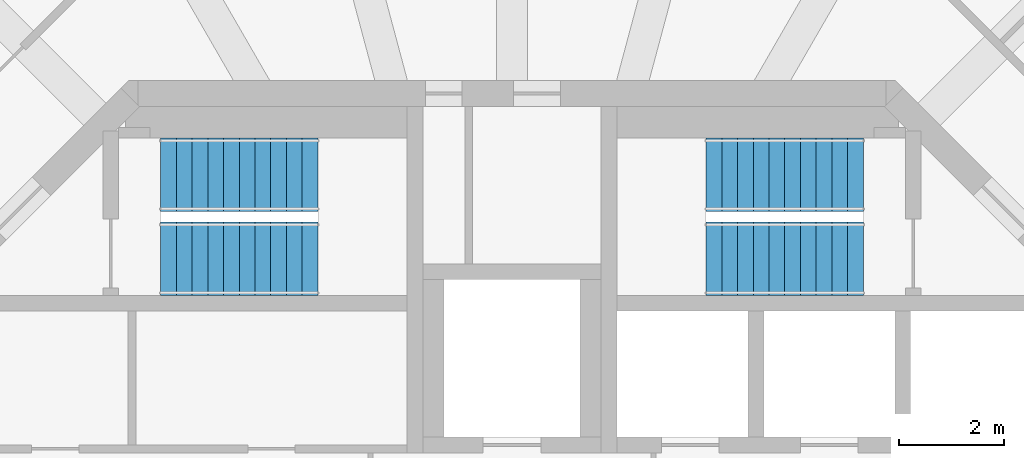
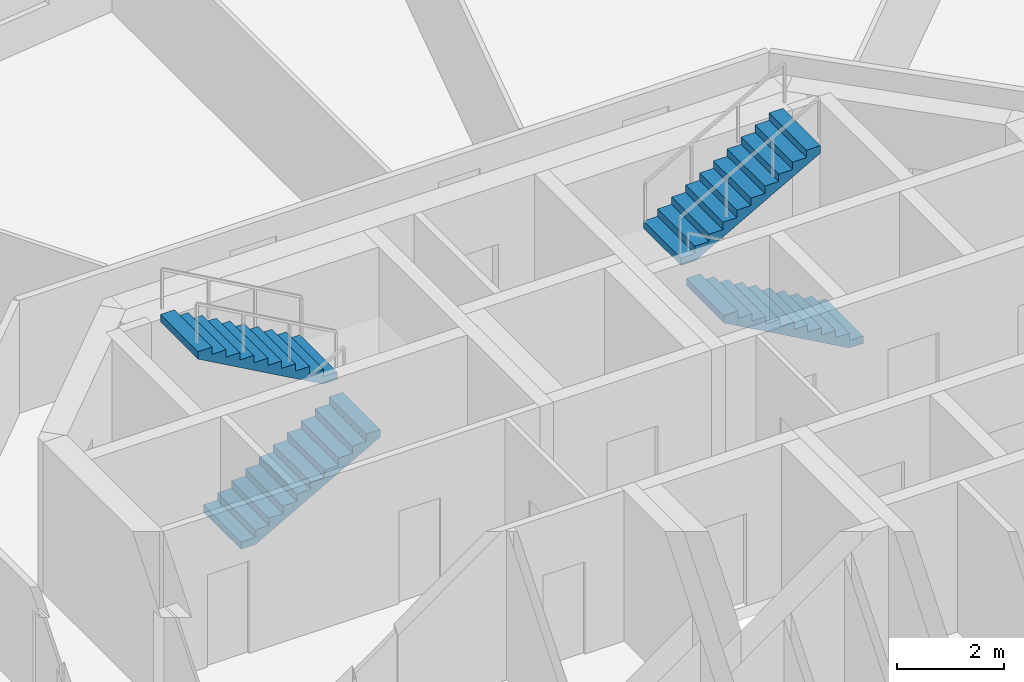
# One storey, part 7 of 9: 4 stair flights, 2 elements without a shape of their own.
"""IFC4 building model written with IfcOpenShell, lengths in metres."""

from ifc_helpers import new_model, si_unit, direction, frame, origin, place, context, subcontext, project, spatial, polyline, outline, extrude, material, type_object, element, aggregate, save


model = new_model("IFC4")

# Units and contexts
model_context = context("Model", 3, precision=1e-05, world=origin(), true_north=direction((0.0, 1.0)))
body_context = subcontext(model_context, "Body", "Model", "MODEL_VIEW")
ifc_project = project(units=[si_unit("LENGTHUNIT", "METRE"), si_unit("AREAUNIT", "SQUARE_METRE"), si_unit("VOLUMEUNIT", "CUBIC_METRE"), si_unit("PLANEANGLEUNIT", "RADIAN"), si_unit("MASSUNIT", "GRAM", prefix="KILO")], contexts=[model_context])

# Site, building, storey
site_placement = place(None, origin())
site = spatial("IfcSite", under=ifc_project, at=site_placement, CompositionType="ELEMENT")
building_placement = place(site_placement, origin())
building = spatial("IfcBuilding", under=site, at=building_placement, Name="Torre Triforio", CompositionType="ELEMENT")
storey_placement = place(building_placement, frame((0.0, 0.0, 264.89990234375)))
storey = spatial("IfcBuildingStorey", under=building, at=storey_placement, Name="L61", CompositionType="ELEMENT", Elevation=264.89990234375)

# Stair, stair flights
ifc_material = material(Name="Concrete C40", Category="concrete")
stair_type = type_object("IfcStairType", Name="STAIR HALF-TURN", PredefinedType="HALF_TURN_STAIR", material=ifc_material)
stair_1_placement = place(storey_placement, origin())
stair_1 = element("IfcStair", 1, at=stair_1_placement, inside=storey, type_object=stair_type, Name="Exit stair 1", PredefinedType="HALF_TURN_STAIR")
stair_flight_type = type_object("IfcStairFlightType", Name="STAIR FLIGHT 1400", PredefinedType="STRAIGHT", material=ifc_material)
stair_flight_1_placement = place(storey_placement, frame((-6.699951171875, 5.199951171875, 0.0), z_axis=(0.0, 0.0, 1.0), x_axis=(1.0, 0.0, 0.0)))
stair_flight_1 = element("IfcStairFlight", 2, at=stair_flight_1_placement, type_object=stair_flight_type, Name="ST1 flight 1", NumberOfRisers=11, NumberOfTreads=10, PredefinedType="STRAIGHT", RiserHeight=0.168181818, TreadLength=0.3, context=body_context, shape_type="SweptSolid", body=[
    extrude(outline(polyline([(0.0, 0.0), (0.0, 0.168212890625), (0.300048828125, 0.168212890625), (0.300048828125, 0.33642578125), (0.60009765625, 0.33642578125), (0.60009765625, 0.504638671875), (0.89990234375, 0.504638671875), (0.89990234375, 0.672607421875), (1.199951171875, 0.672607421875), (1.199951171875, 0.8408203125), (1.5, 0.8408203125), (1.5, 1.009033203125), (1.800048828125, 1.009033203125), (1.800048828125, 1.17724609375), (2.10009765625, 1.17724609375), (2.10009765625, 1.345458984375), (2.39990234375, 1.345458984375), (2.39990234375, 1.513671875), (2.699951171875, 1.513671875), (2.699951171875, 1.681884765625), (3.0, 1.681884765625), (3.0, 1.85009765625), (3.0, 1.510009765625), (0.306640625, 0.0), (0.0, 0.0)])), frame((0.0, 0.699951171875, 0.0), z_axis=(0.0, -1.0, 0.0), x_axis=(1.0, 0.0, 0.0)), (0.0, 0.0, 1.0), 1.39990234375),
])
stair_flight_2_placement = place(storey_placement, frame((-3.699951171875, 6.800048828125, 1.85009765625), z_axis=(0.0, 0.0, 1.0), x_axis=(-1.0, 0.0, 0.0)))
stair_flight_2 = element("IfcStairFlight", 3, at=stair_flight_2_placement, type_object=stair_flight_type, Name="ST1 flight 2", NumberOfRisers=11, NumberOfTreads=10, PredefinedType="STRAIGHT", RiserHeight=0.168181818, TreadLength=0.3, context=body_context, shape_type="SweptSolid", body=[
    extrude(outline(polyline([(0.0, 0.0), (0.0, 0.168212890625), (0.300048828125, 0.168212890625), (0.300048828125, 0.33642578125), (0.60009765625, 0.33642578125), (0.60009765625, 0.504638671875), (0.89990234375, 0.504638671875), (0.89990234375, 0.672607421875), (1.199951171875, 0.672607421875), (1.199951171875, 0.8408203125), (1.5, 0.8408203125), (1.5, 1.009033203125), (1.800048828125, 1.009033203125), (1.800048828125, 1.17724609375), (2.10009765625, 1.17724609375), (2.10009765625, 1.345458984375), (2.39990234375, 1.345458984375), (2.39990234375, 1.513671875), (2.699951171875, 1.513671875), (2.699951171875, 1.681884765625), (3.0, 1.681884765625), (3.0, 1.85009765625), (3.0, 1.510009765625), (0.306640625, 0.0), (0.0, 0.0)])), frame((0.0, 0.699951171875, 0.0), z_axis=(0.0, -1.0, 0.0), x_axis=(1.0, 0.0, 0.0)), (0.0, 0.0, 1.0), 1.39990234375),
])
aggregate(stair_1, [stair_flight_1, stair_flight_2])

stair_2_placement = place(storey_placement, origin())
stair_2 = element("IfcStair", 4, at=stair_2_placement, inside=storey, type_object=stair_type, Name="Exit stair 2", PredefinedType="HALF_TURN_STAIR")
stair_flight_3_placement = place(storey_placement, frame((6.699951171875, 5.199951171875, 0.0), z_axis=(0.0, 0.0, 1.0), x_axis=(-1.0, 0.0, 0.0)))
stair_flight_3 = element("IfcStairFlight", 5, at=stair_flight_3_placement, type_object=stair_flight_type, Name="ST2 flight 1", NumberOfRisers=11, NumberOfTreads=10, PredefinedType="STRAIGHT", RiserHeight=0.168181818, TreadLength=0.3, context=body_context, shape_type="SweptSolid", body=[
    extrude(outline(polyline([(0.0, 0.0), (0.0, 0.168212890625), (0.300048828125, 0.168212890625), (0.300048828125, 0.33642578125), (0.60009765625, 0.33642578125), (0.60009765625, 0.504638671875), (0.89990234375, 0.504638671875), (0.89990234375, 0.672607421875), (1.199951171875, 0.672607421875), (1.199951171875, 0.8408203125), (1.5, 0.8408203125), (1.5, 1.009033203125), (1.800048828125, 1.009033203125), (1.800048828125, 1.17724609375), (2.10009765625, 1.17724609375), (2.10009765625, 1.345458984375), (2.39990234375, 1.345458984375), (2.39990234375, 1.513671875), (2.699951171875, 1.513671875), (2.699951171875, 1.681884765625), (3.0, 1.681884765625), (3.0, 1.85009765625), (3.0, 1.510009765625), (0.306640625, 0.0), (0.0, 0.0)])), frame((0.0, 0.699951171875, 0.0), z_axis=(0.0, -1.0, 0.0), x_axis=(1.0, 0.0, 0.0)), (0.0, 0.0, 1.0), 1.39990234375),
])
stair_flight_4_placement = place(storey_placement, frame((3.699951171875, 6.800048828125, 1.85009765625), z_axis=(0.0, 0.0, 1.0), x_axis=(1.0, 0.0, 0.0)))
stair_flight_4 = element("IfcStairFlight", 6, at=stair_flight_4_placement, type_object=stair_flight_type, Name="ST2 flight 2", NumberOfRisers=11, NumberOfTreads=10, PredefinedType="STRAIGHT", RiserHeight=0.168181818, TreadLength=0.3, context=body_context, shape_type="SweptSolid", body=[
    extrude(outline(polyline([(0.0, 0.0), (0.0, 0.168212890625), (0.300048828125, 0.168212890625), (0.300048828125, 0.33642578125), (0.60009765625, 0.33642578125), (0.60009765625, 0.504638671875), (0.89990234375, 0.504638671875), (0.89990234375, 0.672607421875), (1.199951171875, 0.672607421875), (1.199951171875, 0.8408203125), (1.5, 0.8408203125), (1.5, 1.009033203125), (1.800048828125, 1.009033203125), (1.800048828125, 1.17724609375), (2.10009765625, 1.17724609375), (2.10009765625, 1.345458984375), (2.39990234375, 1.345458984375), (2.39990234375, 1.513671875), (2.699951171875, 1.513671875), (2.699951171875, 1.681884765625), (3.0, 1.681884765625), (3.0, 1.85009765625), (3.0, 1.510009765625), (0.306640625, 0.0), (0.0, 0.0)])), frame((0.0, 0.699951171875, 0.0), z_axis=(0.0, -1.0, 0.0), x_axis=(1.0, 0.0, 0.0)), (0.0, 0.0, 1.0), 1.39990234375),
])
aggregate(stair_2, [stair_flight_3, stair_flight_4])

save(model, "model.ifc")
